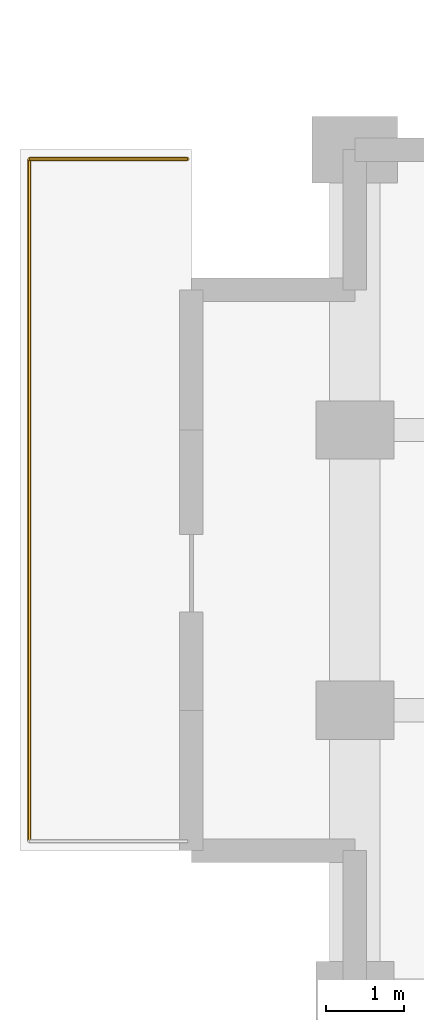
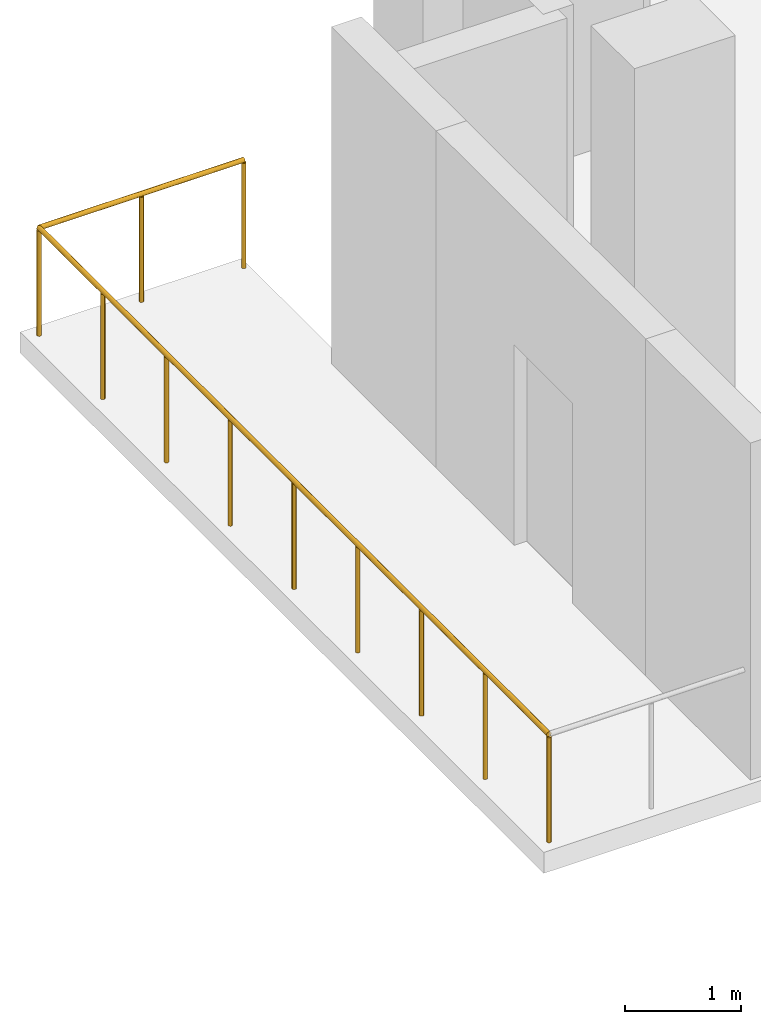
# One storey, part 9 of 9: 2 railings.
"""IFC4 building model written with IfcOpenShell, lengths in metres."""

import ifcopenshell
import ifcopenshell.guid

model = None  # the IFC model being written
_history = None  # IfcOwnerHistory: only IFC2X3 demands one
_inside = {}  # id of a spatial element -> (the spatial element, [elements in it])
_under = {}  # id of a project, library or spatial element -> (it, [spatial elements below it])
_declared = {}  # id of a project -> (the project, [libraries it declares])
_typed = {}  # id of a type object -> (the type object, [elements of that type])
_made_of = {}  # id of a material, layer set ... -> (it, [elements and type objects made of it])


def new_model(schema):
    """Start an empty IFC model of exactly this schema.

    Asked for "IFC4X3", IfcOpenShell would pick the latest addendum, in which some entities
    have other attributes; the version numbers below select the first issue.
    IFC2X3 requires an IfcOwnerHistory on every rooted entity: one is made here for all.
    """
    global model, _history
    if schema == "IFC4X3":
        model = ifcopenshell.file(schema_version=(4, 3, 0, 0))
    else:
        model = ifcopenshell.file(schema=schema)
    _inside.clear()
    _under.clear()
    _declared.clear()
    _typed.clear()
    _made_of.clear()
    _history = None
    if model.schema == "IFC2X3":
        org = make("IfcOrganization", Name="unknown")
        user = make(
            "IfcPersonAndOrganization",
            ThePerson=make("IfcPerson", FamilyName="unknown"),
            TheOrganization=org,
        )
        app = make(
            "IfcApplication",
            ApplicationDeveloper=org,
            Version="unknown",
            ApplicationFullName="unknown",
            ApplicationIdentifier="unknown",
        )
        _history = make(
            "IfcOwnerHistory",
            OwningUser=user,
            OwningApplication=app,
            ChangeAction="ADDED",
            CreationDate=0,
        )
    return model


def make(cls, **values):
    """One entity of the class cls with the attributes given. An attribute that is None is left unset."""
    return model.create_entity(
        cls, **{name: value for name, value in values.items() if value is not None}
    )


def rooted(cls, **values):
    """An entity with a GlobalId (a new one), such as an element, a storey or a relation."""
    return make(cls, GlobalId=ifcopenshell.guid.new(), OwnerHistory=_history, **values)


def si_unit(unit_type, name, prefix=None):
    """IfcSIUnit, for example si_unit("LENGTHUNIT", "METRE", prefix="MILLI")."""
    return make("IfcSIUnit", UnitType=unit_type, Prefix=prefix, Name=name)


def assignment(units):
    """IfcUnitAssignment: the units of a project."""
    return None if units is None else make("IfcUnitAssignment", Units=units)


def point(xyz):
    """IfcCartesianPoint."""
    return None if xyz is None else make("IfcCartesianPoint", Coordinates=xyz)


def direction(xyz):
    """IfcDirection."""
    return None if xyz is None else make("IfcDirection", DirectionRatios=xyz)


def frame(location, z_axis=None, x_axis=None):
    """IfcAxis2Placement3D, a coordinate frame: its origin and axes. An axis left out is left unset."""
    return make(
        "IfcAxis2Placement3D",
        Location=point(location),
        Axis=direction(z_axis),
        RefDirection=direction(x_axis),
    )


def frame_2d(location, x_axis=None):
    """IfcAxis2Placement2D, a coordinate frame in the plane: its origin and x axis."""
    return make(
        "IfcAxis2Placement2D", Location=point(location), RefDirection=direction(x_axis)
    )


def origin():
    """The frame at (0, 0, 0) with its axes left unset."""
    return frame((0.0, 0.0, 0.0))


def origin_2d():
    """The frame at (0, 0) in the plane with its x axis left unset."""
    return frame_2d((0.0, 0.0))


def place(relative_to, where):
    """IfcLocalPlacement: puts the frame where relative to a parent placement (None: the world)."""
    return make(
        "IfcLocalPlacement", PlacementRelTo=relative_to, RelativePlacement=where
    )


def context(
    kind, dimensions, precision=None, world=None, true_north=None, identifier=None
):
    """IfcGeometricRepresentationContext, for example the 3D "Model" context."""
    return make(
        "IfcGeometricRepresentationContext",
        ContextIdentifier=identifier,
        ContextType=kind,
        CoordinateSpaceDimension=dimensions,
        Precision=precision,
        WorldCoordinateSystem=world,
        TrueNorth=true_north,
    )


def subcontext(parent, identifier, kind, view, scale=None):
    """IfcGeometricRepresentationSubContext, for example "Body" below "Model"."""
    return make(
        "IfcGeometricRepresentationSubContext",
        ContextIdentifier=identifier,
        ContextType=kind,
        ParentContext=parent,
        TargetScale=scale,
        TargetView=view,
    )


def project(units=None, contexts=None):
    """IfcProject with its units and contexts."""
    return rooted(
        "IfcProject",
        Name="project",
        RepresentationContexts=contexts,
        UnitsInContext=assignment(units),
    )


def spatial(cls, under=None, at=None, **own):
    """A site, building, storey or space (cls), placed at a placement, below another one or the project."""
    s = rooted(cls, ObjectPlacement=at, **own)
    if under is not None:
        _under.setdefault(under.id(), (under, []))[1].append(s)
    return s


def profile(cls, at=None, kind="AREA", **sizes):
    """A parametric profile (cls). Its sizes go by their IFC names, for example OverallWidth=200.0."""
    return make(cls, ProfileType=kind, Position=at, **sizes)


def circle(**sizes):
    """IfcCircleProfileDef."""
    return profile("IfcCircleProfileDef", **sizes)


def extrude(swept, where, along, depth):
    """IfcExtrudedAreaSolid: the profile swept, set in the frame where, extruded along a direction by depth."""
    return make(
        "IfcExtrudedAreaSolid",
        SweptArea=swept,
        Position=where,
        ExtrudedDirection=direction(along),
        Depth=depth,
    )


def shape(context_of_items, identifier, shape_type, items):
    """IfcShapeRepresentation: the items that make up one representation, for example the "Body"."""
    return make(
        "IfcShapeRepresentation",
        ContextOfItems=context_of_items,
        RepresentationIdentifier=identifier,
        RepresentationType=shape_type,
        Items=items,
    )


def material(Name=None, Category=None):
    """IfcMaterial."""
    return make("IfcMaterial", Name=Name, Category=Category)


def made_of(thing, what):
    """Note that an element or type object is made of a material, layer set ...; save() writes the relation."""
    if what is not None:
        _made_of.setdefault(what.id(), (what, []))[1].append(thing)
    return thing


def type_object(cls, material=None, **own):
    """A type object (cls), such as IfcWallType, which elements share."""
    return made_of(rooted(cls, **own), material)


def element(
    cls,
    number,
    at=None,
    inside=None,
    cuts=None,
    type_object=None,
    material=None,
    context=None,
    identifier="Body",
    shape_type=None,
    held_by="IfcProductDefinitionShape",
    body=None,
    shapes=None,
    **own,
):
    """One element of the class cls, such as IfcWall. Its Tag is "e" and its number.

    at: its placement. inside: the storey or other place that contains it. cuts: it is an
    opening in that element (IfcRelVoidsElement). A single representation is given by context,
    identifier, shape_type and body (its items); several are given by shapes. held_by: the class
    of the entity that holds the representations. save() writes the other relations.
    """
    e = rooted(cls, Tag="e%d" % number, ObjectPlacement=at, **own)
    if body is not None:
        shapes = [shape(context, identifier, shape_type, body)]
    if shapes is not None:
        e.Representation = make(held_by, Representations=shapes)
    if inside is not None:
        _inside.setdefault(inside.id(), (inside, []))[1].append(e)
    if cuts is not None:
        rooted(
            "IfcRelVoidsElement", RelatingBuildingElement=cuts, RelatedOpeningElement=e
        )
    if type_object is not None:
        _typed.setdefault(type_object.id(), (type_object, []))[1].append(e)
    return made_of(e, material)


def aggregate(whole, parts):
    """IfcRelAggregates: a whole, such as a stair, and the parts it consists of."""
    return rooted("IfcRelAggregates", RelatingObject=whole, RelatedObjects=parts)


def save(model, path):
    """Write the relations noted so far, then the file.

    IfcRelAggregates (storeys below a building ...), IfcRelContainedInSpatialStructure (elements
    in a storey), IfcRelDefinesByType, IfcRelAssociatesMaterial and IfcRelDeclares: one each for
    every whole, place, type object, material and project.
    """
    for whole, parts in _under.values():
        aggregate(whole, parts)
    for where, things in _inside.values():
        rooted(
            "IfcRelContainedInSpatialStructure",
            RelatedElements=things,
            RelatingStructure=where,
        )
    for kind, things in _typed.values():
        rooted("IfcRelDefinesByType", RelatedObjects=things, RelatingType=kind)
    for what, things in _made_of.values():
        rooted("IfcRelAssociatesMaterial", RelatedObjects=things, RelatingMaterial=what)
    for by, libraries in _declared.values():
        rooted("IfcRelDeclares", RelatingContext=by, RelatedDefinitions=libraries)
    model.write(path)


model = new_model("IFC4")

# Units and contexts
model_context = context("Model", 3, precision=1e-05, world=origin(), true_north=direction((0.0, 1.0)))
body_context = subcontext(model_context, "Body", "Model", "MODEL_VIEW")
ifc_project = project(units=[si_unit("LENGTHUNIT", "METRE"), si_unit("AREAUNIT", "SQUARE_METRE"), si_unit("VOLUMEUNIT", "CUBIC_METRE"), si_unit("PLANEANGLEUNIT", "RADIAN"), si_unit("MASSUNIT", "GRAM", prefix="KILO")], contexts=[model_context])

# Site, building, storey
site_placement = place(None, origin())
site = spatial("IfcSite", under=ifc_project, at=site_placement, CompositionType="ELEMENT")
building_placement = place(site_placement, origin())
building = spatial("IfcBuilding", under=site, at=building_placement, Name="Solnavia Interchange Tower", CompositionType="ELEMENT")
storey_placement = place(building_placement, frame((0.0, 0.0, 154.199951171875)))
storey = spatial("IfcBuildingStorey", under=building, at=storey_placement, Name="L38", CompositionType="ELEMENT", Elevation=154.199951171875)

# Railings
ifc_material = material(Name="Laminated Safety Glass & Stainless Steel", Category="steel")
railing_type = type_object("IfcRailingType", Name="Railing-TerraceGuard-1150", PredefinedType="GUARDRAIL", material=ifc_material)
railing_1_placement = place(storey_placement, frame((3.02001953125, 30.719970703125, -0.0400390625)))
element("IfcRailing", 1, at=railing_1_placement, inside=storey, type_object=railing_type, Name="GRD-L38-TER-02 Perimeter terrace guardrail", PredefinedType="GUARDRAIL", context=body_context, shape_type="SweptSolid", body=[
    extrude(circle(Radius=0.02392578125, at=origin_2d()), frame((0.0, 0.0, 1.1259765625), z_axis=(0.0, 1.0, 0.0), x_axis=(-1.0, 0.0, 0.0)), (0.0, 0.0, 1.0), 8.760009765625),
    extrude(circle(Radius=0.02099609375, at=origin_2d()), origin(), (0.0, 0.0, 1.0), 1.101806640625),
    extrude(circle(Radius=0.02099609375, at=origin_2d()), frame((0.0, 1.094970703125, 0.0)), (0.0, 0.0, 1.0), 1.101806640625),
    extrude(circle(Radius=0.02099609375, at=origin_2d()), frame((0.0, 2.18994140625, 0.0)), (0.0, 0.0, 1.0), 1.101806640625),
    extrude(circle(Radius=0.02099609375, at=origin_2d()), frame((0.0, 3.284912109375, 0.0)), (0.0, 0.0, 1.0), 1.101806640625),
    extrude(circle(Radius=0.02099609375, at=origin_2d()), frame((0.0, 4.3798828125, 0.0)), (0.0, 0.0, 1.0), 1.101806640625),
    extrude(circle(Radius=0.02099609375, at=origin_2d()), frame((0.0, 5.47509765625, 0.0)), (0.0, 0.0, 1.0), 1.101806640625),
    extrude(circle(Radius=0.02099609375, at=origin_2d()), frame((0.0, 6.570068359375, 0.0)), (0.0, 0.0, 1.0), 1.101806640625),
    extrude(circle(Radius=0.02099609375, at=origin_2d()), frame((0.0, 7.6650390625, 0.0)), (0.0, 0.0, 1.0), 1.101806640625),
    extrude(circle(Radius=0.02099609375, at=origin_2d()), frame((0.0, 8.760009765625, 0.0)), (0.0, 0.0, 1.0), 1.101806640625),
])
railing_2_placement = place(storey_placement, frame((3.02001953125, 39.47998046875, -0.0400390625)))
element("IfcRailing", 2, at=railing_2_placement, inside=storey, type_object=railing_type, Name="GRD-L38-TER-03 Perimeter terrace guardrail", PredefinedType="GUARDRAIL", context=body_context, shape_type="SweptSolid", body=[
    extrude(circle(Radius=0.02392578125, at=origin_2d()), frame((0.0, 0.0, 1.1259765625), z_axis=(1.0, 0.0, 0.0), x_axis=(0.0, 1.0, 0.0)), (0.0, 0.0, 1.0), 2.030029296875),
    extrude(circle(Radius=0.02099609375, at=origin_2d()), origin(), (0.0, 0.0, 1.0), 1.101806640625),
    extrude(circle(Radius=0.02099609375, at=origin_2d()), frame((1.01513671875, 0.0, 0.0)), (0.0, 0.0, 1.0), 1.101806640625),
    extrude(circle(Radius=0.02099609375, at=origin_2d()), frame((2.030029296875, 0.0, 0.0)), (0.0, 0.0, 1.0), 1.101806640625),
])

save(model, "model.ifc")
